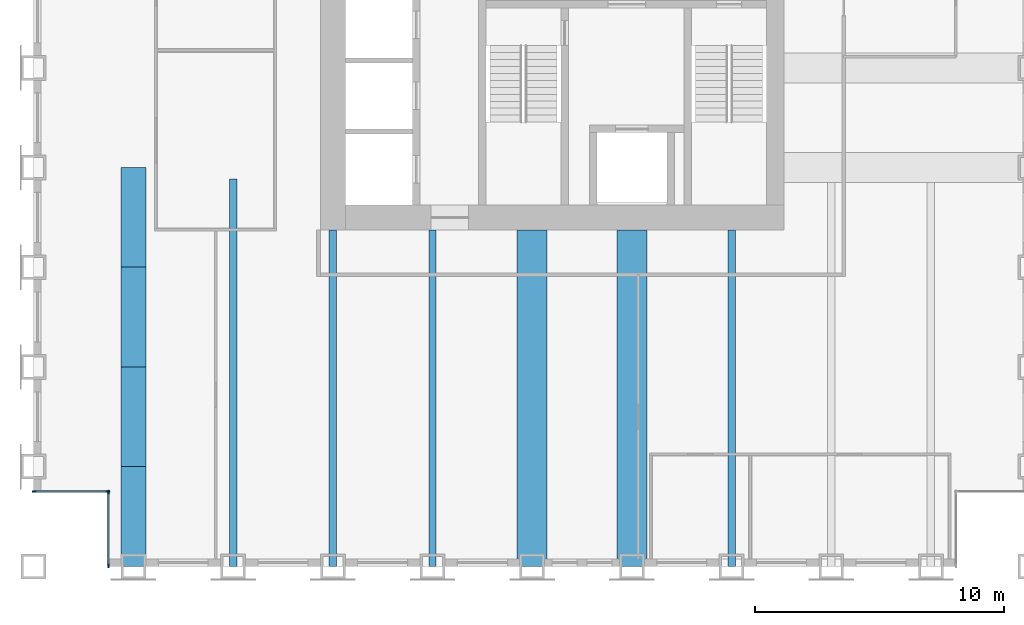
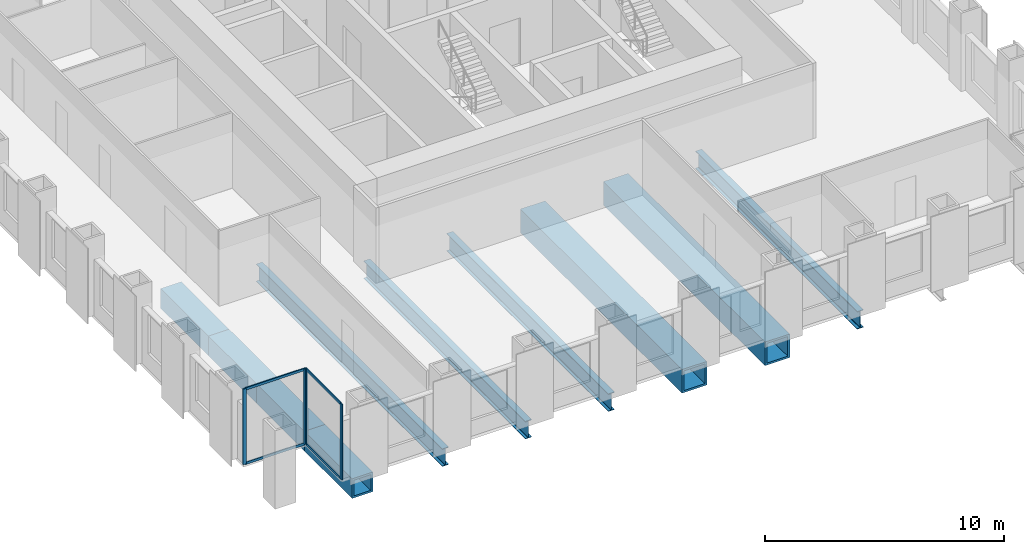
# One storey, part 2 of 10: 10 beams, 8 members, 2 elements without a shape of their own.
"""IFC4 building model written with IfcOpenShell, lengths in metres."""

from ifc_helpers import new_model, si_unit, direction, frame, origin, origin_2d, place, context, subcontext, project, spatial, rectangle, hollow_rectangle, i_section, extrude, material, material_profile, profile_set, type_object, element, aggregate, save


model = new_model("IFC4")

# Units and contexts
model_context = context("Model", 3, precision=1e-05, world=origin(), true_north=direction((0.0, 1.0)))
body_context = subcontext(model_context, "Body", "Model", "MODEL_VIEW")
ifc_project = project(units=[si_unit("LENGTHUNIT", "METRE"), si_unit("AREAUNIT", "SQUARE_METRE"), si_unit("VOLUMEUNIT", "CUBIC_METRE"), si_unit("PLANEANGLEUNIT", "RADIAN"), si_unit("MASSUNIT", "GRAM", prefix="KILO")], contexts=[model_context])

# Site, building, storey
site_placement = place(None, origin())
site = spatial("IfcSite", under=ifc_project, at=site_placement, CompositionType="ELEMENT")
building_placement = place(site_placement, origin())
building = spatial("IfcBuilding", under=site, at=building_placement, Name="Rimbunsela Tower", CompositionType="ELEMENT")
storey_placement = place(building_placement, frame((0.0, 0.0, 274.199951171875)))
storey = spatial("IfcBuildingStorey", under=building, at=storey_placement, Name="L66", CompositionType="ELEMENT", Elevation=274.199951171875)

# Beams
ifc_material_1 = material(Name="Steel BJ 55 (fy 410 MPa)", Category="steel")
ifc_material_profile_1 = material_profile(ifc_material_1, hollow_rectangle(XDim=1.0, YDim=1.0, WallThickness=0.10009765625, at=origin_2d()), Name="BOX 1000x1000x100")
ifc_profile_set_1 = profile_set([ifc_material_profile_1], Name="Steel BJ 55 (fy 410 MPa)")
beam_type_1 = type_object("IfcBeamType", Name="Beam BOX 1000x1000x100", PredefinedType="BEAM", material=ifc_profile_set_1)
for number, where, z_axis, x_axis, name in (
    (1, (10.0, 4.0, -0.64990234375), (0.0, 1.0, 0.0), (-1.0, 0.0, 0.0), "Beam B3 L66"),
    (2, (10.0, 8.0, -0.64990234375), (0.0, 1.0, 0.0), (-1.0, 0.0, 0.0), "Beam B3 L66"),
    (3, (10.0, 12.0, -0.64990234375), (0.0, 1.0, 0.0), (-1.0, 0.0, 0.0), "Beam B3 L66"),
    (4, (10.0, 16.0, -0.64990234375), (0.0, 1.0, 0.0), (-1.0, 0.0, 0.0), "Beam B3 L66"),
):
    element("IfcBeam", number, at=place(storey_placement, frame(where, z_axis=z_axis, x_axis=x_axis)), inside=storey, type_object=beam_type_1, Name=name, PredefinedType="BEAM", context=body_context, shape_type="SweptSolid", body=[
        extrude(hollow_rectangle(XDim=1.0, YDim=1.0, WallThickness=0.10009765625, at=origin_2d()), origin(), (0.0, 0.0, 1.0), 4.0),
    ])
ifc_material_2 = material(Name="Steel BJ 55 (fy 410 MPa)", Category="steel")
ifc_material_profile_2 = material_profile(ifc_material_2, hollow_rectangle(XDim=1.199951171875, YDim=1.199951171875, WallThickness=0.10009765625, at=origin_2d()), Name="BOX 1200x1200x100")
ifc_profile_set_2 = profile_set([ifc_material_profile_2], Name="Steel BJ 55 (fy 410 MPa)")
beam_type_2 = type_object("IfcBeamType", Name="Beam BOX 1200x1200x100", PredefinedType="BEAM", material=ifc_profile_set_2)
for number, where, z_axis, x_axis, name in (
    (5, (26.0, 4.0, -0.75), (0.0, 1.0, 0.0), (-1.0, 0.0, 0.0), "Beam B5 L66"),
    (6, (30.0, 4.0, -0.75), (0.0, 1.0, 0.0), (-1.0, 0.0, 0.0), "Beam B5 L66"),
):
    element("IfcBeam", number, at=place(storey_placement, frame(where, z_axis=z_axis, x_axis=x_axis)), inside=storey, type_object=beam_type_2, Name=name, PredefinedType="BEAM", context=body_context, shape_type="SweptSolid", body=[
        extrude(hollow_rectangle(XDim=1.199951171875, YDim=1.199951171875, WallThickness=0.10009765625, at=origin_2d()), origin(), (0.0, 0.0, 1.0), 13.5),
    ])
ifc_material_3 = material(Name="Steel BJ 55 (fy 410 MPa)", Category="steel")
ifc_material_profile_3 = material_profile(ifc_material_3, i_section(OverallWidth=0.300048828125, OverallDepth=0.89990234375, WebThickness=0.01611328125, FlangeThickness=0.028076171875, FilletRadius=0.028076171875, at=origin_2d()), Name="H 900x300x16x28")
ifc_profile_set_3 = profile_set([ifc_material_profile_3], Name="Steel BJ 55 (fy 410 MPa)")
beam_type_3 = type_object("IfcBeamType", Name="Beam H 900x300x16x28", PredefinedType="BEAM", material=ifc_profile_set_3)
beam_placement = place(storey_placement, frame((14.0, 4.0, -0.599853515625), z_axis=(0.0, 1.0, 0.0), x_axis=(-1.0, 0.0, 0.0)))
element("IfcBeam", 7, at=beam_placement, inside=storey, type_object=beam_type_3, Name="Beam B2 L66", PredefinedType="BEAM", context=body_context, shape_type="SweptSolid", body=[
    extrude(i_section(OverallWidth=0.300048828125, OverallDepth=0.89990234375, WebThickness=0.01611328125, FlangeThickness=0.028076171875, FilletRadius=0.028076171875, at=origin_2d()), origin(), (0.0, 0.0, 1.0), 15.550048828125),
])
for number, where, z_axis, x_axis, name in (
    (8, (18.0, 4.0, -0.599853515625), (0.0, 1.0, 0.0), (-1.0, 0.0, 0.0), "Beam B2 L66"),
    (9, (22.0, 4.0, -0.599853515625), (0.0, 1.0, 0.0), (-1.0, 0.0, 0.0), "Beam B2 L66"),
    (10, (34.0, 4.0, -0.599853515625), (0.0, 1.0, 0.0), (-1.0, 0.0, 0.0), "Beam B2 L66"),
):
    element("IfcBeam", number, at=place(storey_placement, frame(where, z_axis=z_axis, x_axis=x_axis)), inside=storey, type_object=beam_type_3, Name=name, PredefinedType="BEAM", context=body_context, shape_type="SweptSolid", body=[
        extrude(i_section(OverallWidth=0.300048828125, OverallDepth=0.89990234375, WebThickness=0.01611328125, FlangeThickness=0.028076171875, FilletRadius=0.028076171875, at=origin_2d()), origin(), (0.0, 0.0, 1.0), 13.5),
    ])

# Curtain wall, members
ifc_material_4 = material(Name="Aluminium curtain wall", Category="aluminium")
curtain_wall_type = type_object("IfcCurtainWallType", Name="Corner glazing", PredefinedType="USERDEFINED", material=ifc_material_4)
curtain_wall_1_placement = place(storey_placement, origin())
curtain_wall_1 = element("IfcCurtainWall", 11, at=curtain_wall_1_placement, inside=storey, type_object=curtain_wall_type, Name="Corner glazing L66", ObjectType="CORNER GLAZING", PredefinedType="USERDEFINED")
ifc_material_5 = material(Name="Aluminium mullion", Category="aluminium")
ifc_material_profile_4 = material_profile(ifc_material_5, rectangle(XDim=0.06005859375, YDim=0.159912109375, at=origin_2d()), Name="Mullion 60x160")
ifc_profile_set_4 = profile_set([ifc_material_profile_4], Name="Aluminium mullion")
member_type_1 = type_object("IfcMemberType", Name="Curtain wall mullion 60x160", PredefinedType="MULLION", material=ifc_profile_set_4)
member_1_placement = place(storey_placement, frame((6.030029296875, 7.0, 0.0), z_axis=(0.0, 0.0, 1.0), x_axis=(0.0, 1.0, 0.0)))
member_1 = element("IfcMember", 12, at=member_1_placement, type_object=member_type_1, Name="CW5 mullion 1", PredefinedType="MULLION", context=body_context, shape_type="SweptSolid", body=[
    extrude(rectangle(XDim=0.06005859375, YDim=0.159912109375, at=origin_2d()), origin(), (0.0, 0.0, 1.0), 3.85009765625),
])
member_2_placement = place(storey_placement, frame((8.969970703125, 7.0, 0.0), z_axis=(0.0, 0.0, 1.0), x_axis=(0.0, 1.0, 0.0)))
member_2 = element("IfcMember", 13, at=member_2_placement, type_object=member_type_1, Name="CW5 mullion 2", PredefinedType="MULLION", context=body_context, shape_type="SweptSolid", body=[
    extrude(rectangle(XDim=0.06005859375, YDim=0.159912109375, at=origin_2d()), origin(), (0.0, 0.0, 1.0), 3.85009765625),
])

curtain_wall_2_placement = place(storey_placement, origin())
curtain_wall_2 = element("IfcCurtainWall", 14, at=curtain_wall_2_placement, inside=storey, type_object=curtain_wall_type, Name="Corner glazing L66", ObjectType="CORNER GLAZING", PredefinedType="USERDEFINED")
member_3_placement = place(storey_placement, frame((9.0, 6.969970703125, 0.0), z_axis=(0.0, 0.0, 1.0), x_axis=(1.0, 0.0, 0.0)))
member_3 = element("IfcMember", 15, at=member_3_placement, type_object=member_type_1, Name="CW5 mullion 1", PredefinedType="MULLION", context=body_context, shape_type="SweptSolid", body=[
    extrude(rectangle(XDim=0.06005859375, YDim=0.159912109375, at=origin_2d()), origin(), (0.0, 0.0, 1.0), 3.85009765625),
])
member_4_placement = place(storey_placement, frame((9.0, 4.030029296875, 0.0), z_axis=(0.0, 0.0, 1.0), x_axis=(1.0, 0.0, 0.0)))
member_4 = element("IfcMember", 16, at=member_4_placement, type_object=member_type_1, Name="CW5 mullion 2", PredefinedType="MULLION", context=body_context, shape_type="SweptSolid", body=[
    extrude(rectangle(XDim=0.06005859375, YDim=0.159912109375, at=origin_2d()), origin(), (0.0, 0.0, 1.0), 3.85009765625),
])

# Member
ifc_material_6 = material(Name="Aluminium transom", Category="aluminium")
ifc_material_profile_5 = material_profile(ifc_material_6, rectangle(XDim=0.06005859375, YDim=0.1201171875, at=origin_2d()), Name="Transom 60x120")
ifc_profile_set_5 = profile_set([ifc_material_profile_5], Name="Aluminium transom")
member_type_2 = type_object("IfcMemberType", Name="Curtain wall transom 60x120", PredefinedType="USERDEFINED", material=ifc_profile_set_5)
member_5_placement = place(storey_placement, frame((6.06005859375, 7.0, 0.030029296875), z_axis=(1.0, 0.0, 0.0), x_axis=(0.0, 1.0, 0.0)))
member_5 = element("IfcMember", 17, at=member_5_placement, type_object=member_type_2, Name="CW5 transom 1.1", ObjectType="TRANSOM", PredefinedType="USERDEFINED", context=body_context, shape_type="SweptSolid", body=[
    extrude(rectangle(XDim=0.06005859375, YDim=0.1201171875, at=origin_2d()), origin(), (0.0, 0.0, 1.0), 2.8798828125),
])

member_6_placement = place(storey_placement, frame((6.06005859375, 7.0, 3.820068359375), z_axis=(1.0, 0.0, 0.0), x_axis=(0.0, 1.0, 0.0)))
member_6 = element("IfcMember", 18, at=member_6_placement, type_object=member_type_2, Name="CW5 transom 1.2", ObjectType="TRANSOM", PredefinedType="USERDEFINED", context=body_context, shape_type="SweptSolid", body=[
    extrude(rectangle(XDim=0.06005859375, YDim=0.1201171875, at=origin_2d()), origin(), (0.0, 0.0, 1.0), 2.8798828125),
])

aggregate(curtain_wall_1, [member_1, member_2, member_5, member_6])

member_7_placement = place(storey_placement, frame((9.0, 6.93994140625, 0.030029296875), z_axis=(0.0, -1.0, 0.0), x_axis=(1.0, 0.0, 0.0)))
member_7 = element("IfcMember", 19, at=member_7_placement, type_object=member_type_2, Name="CW5 transom 1.1", ObjectType="TRANSOM", PredefinedType="USERDEFINED", context=body_context, shape_type="SweptSolid", body=[
    extrude(rectangle(XDim=0.06005859375, YDim=0.1201171875, at=origin_2d()), origin(), (0.0, 0.0, 1.0), 2.8798828125),
])

member_8_placement = place(storey_placement, frame((9.0, 6.93994140625, 3.820068359375), z_axis=(0.0, -1.0, 0.0), x_axis=(1.0, 0.0, 0.0)))
member_8 = element("IfcMember", 20, at=member_8_placement, type_object=member_type_2, Name="CW5 transom 1.2", ObjectType="TRANSOM", PredefinedType="USERDEFINED", context=body_context, shape_type="SweptSolid", body=[
    extrude(rectangle(XDim=0.06005859375, YDim=0.1201171875, at=origin_2d()), origin(), (0.0, 0.0, 1.0), 2.8798828125),
])

aggregate(curtain_wall_2, [member_3, member_4, member_7, member_8])

save(model, "model.ifc")
